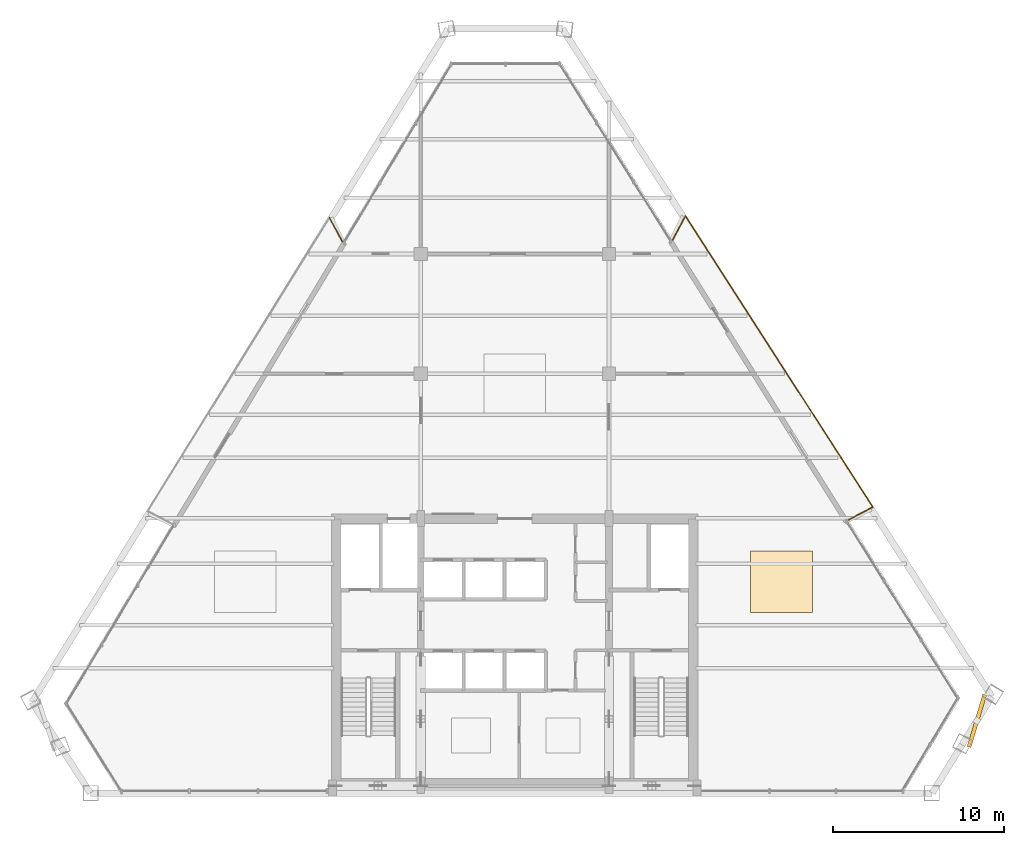
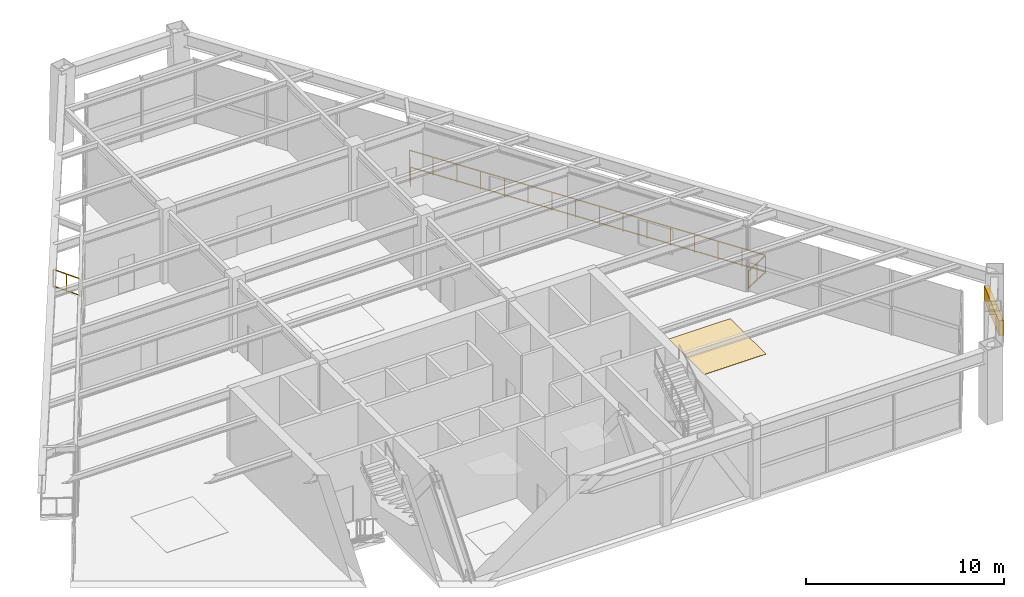
# One storey, part 11 of 11: 4 railings, 1 covering, 1 shading device.
"""IFC4 building model written with IfcOpenShell, lengths in metres."""

from ifc_helpers import new_model, si_unit, direction, frame, origin, origin_2d, place, context, subcontext, project, spatial, rectangle, extrude, source, transform, mapped, material, layer, layer_set, type_object, type_shapes, element, save


model = new_model("IFC4")

# Units and contexts
model_context = context("Model", 3, precision=1e-05, world=origin(), true_north=direction((0.0, 1.0)))
body_context = subcontext(model_context, "Body", "Model", "MODEL_VIEW")
ifc_project = project(units=[si_unit("LENGTHUNIT", "METRE"), si_unit("AREAUNIT", "SQUARE_METRE"), si_unit("VOLUMEUNIT", "CUBIC_METRE"), si_unit("PLANEANGLEUNIT", "RADIAN"), si_unit("MASSUNIT", "GRAM", prefix="KILO")], contexts=[model_context])

# Site, building, storey
site_placement = place(None, origin())
site = spatial("IfcSite", under=ifc_project, at=site_placement, CompositionType="ELEMENT")
building_placement = place(site_placement, origin())
building = spatial("IfcBuilding", under=site, at=building_placement, Name="Varnakhor Terracotta Tower", CompositionType="ELEMENT")
storey_placement = place(building_placement, frame((0.0, 0.0, 215.39990234375)))
storey = spatial("IfcBuildingStorey", under=building, at=storey_placement, Name="L55", CompositionType="ELEMENT", Elevation=215.39990234375)

# Railings
ifc_material_1 = material(Name="Stainless Steel & Laminated Glass Guardrail", Category="steel")
railing_type = type_object("IfcRailingType", Name="RLG-LOGGIA-GUARD-1150", PredefinedType="GUARDRAIL", material=ifc_material_1)
railing_1_placement = place(storey_placement, frame((9.220703125, 32.31201171875, 0.0)))
element("IfcRailing", 1, at=railing_1_placement, inside=storey, type_object=railing_type, Name="L55 E Loggia Glass Guard 1", PredefinedType="GUARDRAIL", context=body_context, shape_type="SweptSolid", body=[
    extrude(rectangle(XDim=0.048095703125, YDim=0.048095703125, at=origin_2d()), frame((0.0, 0.0, 1.1259765625), z_axis=(0.471716382735, 0.88175033556, 0.0), x_axis=(-0.88175033556, 0.471716382735, 0.0)), (0.0, 0.0, 1.0), 1.583251953125),
    extrude(rectangle(XDim=0.048095703125, YDim=0.048095703125, at=origin_2d()), frame((0.0, 0.0, 0.10009765625), z_axis=(0.471716382735, 0.88175033556, 0.0), x_axis=(-0.88175033556, 0.471716382735, 0.0)), (0.0, 0.0, 1.0), 1.583251953125),
    extrude(rectangle(XDim=0.0419921875, YDim=0.0419921875, at=origin_2d()), origin(), (0.0, 0.0, 1.0), 1.101806640625),
    extrude(rectangle(XDim=0.0419921875, YDim=0.0419921875, at=origin_2d()), frame((0.37353515625, 0.697998046875, 0.0)), (0.0, 0.0, 1.0), 1.101806640625),
    extrude(rectangle(XDim=0.0419921875, YDim=0.0419921875, at=origin_2d()), frame((0.746826171875, 1.39599609375, 0.0)), (0.0, 0.0, 1.0), 1.101806640625),
])
railing_2_placement = place(storey_placement, frame((9.967529296875, 33.7080078125, 0.0)))
element("IfcRailing", 2, at=railing_2_placement, inside=storey, type_object=railing_type, Name="L55 E Loggia Glass Guard 2", PredefinedType="GUARDRAIL", context=body_context, shape_type="SweptSolid", body=[
    extrude(rectangle(XDim=0.048095703125, YDim=0.048095703125, at=origin_2d()), frame((0.0, 0.0, 1.1259765625), z_axis=(0.541732621152, -0.840550871262, 0.0), x_axis=(0.840550871262, 0.541732621152, 0.0)), (0.0, 0.0, 1.0), 20.215576171875),
    extrude(rectangle(XDim=0.048095703125, YDim=0.048095703125, at=origin_2d()), frame((0.0, 0.0, 0.10009765625), z_axis=(0.541732621152, -0.840550871262, 0.0), x_axis=(0.840550871262, 0.541732621152, 0.0)), (0.0, 0.0, 1.0), 20.215576171875),
    extrude(rectangle(XDim=0.0419921875, YDim=0.0419921875, at=origin_2d()), origin(), (0.0, 0.0, 1.0), 1.101806640625),
    extrude(rectangle(XDim=0.0419921875, YDim=0.0419921875, at=origin_2d()), frame((0.72998046875, -1.1328125, 0.0)), (0.0, 0.0, 1.0), 1.101806640625),
    extrude(rectangle(XDim=0.0419921875, YDim=0.0419921875, at=origin_2d()), frame((1.460205078125, -2.265625, 0.0)), (0.0, 0.0, 1.0), 1.101806640625),
    extrude(rectangle(XDim=0.0419921875, YDim=0.0419921875, at=origin_2d()), frame((2.190185546875, -3.3984375, 0.0)), (0.0, 0.0, 1.0), 1.101806640625),
    extrude(rectangle(XDim=0.0419921875, YDim=0.0419921875, at=origin_2d()), frame((2.92041015625, -4.53125, 0.0)), (0.0, 0.0, 1.0), 1.101806640625),
    extrude(rectangle(XDim=0.0419921875, YDim=0.0419921875, at=origin_2d()), frame((3.650390625, -5.6640625, 0.0)), (0.0, 0.0, 1.0), 1.101806640625),
    extrude(rectangle(XDim=0.0419921875, YDim=0.0419921875, at=origin_2d()), frame((4.380615234375, -6.796875, 0.0)), (0.0, 0.0, 1.0), 1.101806640625),
    extrude(rectangle(XDim=0.0419921875, YDim=0.0419921875, at=origin_2d()), frame((5.110595703125, -7.9296875, 0.0)), (0.0, 0.0, 1.0), 1.101806640625),
    extrude(rectangle(XDim=0.0419921875, YDim=0.0419921875, at=origin_2d()), frame((5.8408203125, -9.0625, 0.0)), (0.0, 0.0, 1.0), 1.101806640625),
    extrude(rectangle(XDim=0.0419921875, YDim=0.0419921875, at=origin_2d()), frame((6.57080078125, -10.1953125, 0.0)), (0.0, 0.0, 1.0), 1.101806640625),
    extrude(rectangle(XDim=0.0419921875, YDim=0.0419921875, at=origin_2d()), frame((7.301025390625, -11.328125, 0.0)), (0.0, 0.0, 1.0), 1.101806640625),
    extrude(rectangle(XDim=0.0419921875, YDim=0.0419921875, at=origin_2d()), frame((8.031005859375, -12.4609375, 0.0)), (0.0, 0.0, 1.0), 1.101806640625),
    extrude(rectangle(XDim=0.0419921875, YDim=0.0419921875, at=origin_2d()), frame((8.76123046875, -13.59375, 0.0)), (0.0, 0.0, 1.0), 1.101806640625),
    extrude(rectangle(XDim=0.0419921875, YDim=0.0419921875, at=origin_2d()), frame((9.4912109375, -14.7265625, 0.0)), (0.0, 0.0, 1.0), 1.101806640625),
    extrude(rectangle(XDim=0.0419921875, YDim=0.0419921875, at=origin_2d()), frame((10.221435546875, -15.859375, 0.0)), (0.0, 0.0, 1.0), 1.101806640625),
    extrude(rectangle(XDim=0.0419921875, YDim=0.0419921875, at=origin_2d()), frame((10.951416015625, -16.9921875, 0.0)), (0.0, 0.0, 1.0), 1.101806640625),
])
railing_3_placement = place(storey_placement, frame((20.9189453125, 16.7158203125, 0.0)))
element("IfcRailing", 3, at=railing_3_placement, inside=storey, type_object=railing_type, Name="L55 E Loggia Glass Guard 3", PredefinedType="GUARDRAIL", context=body_context, shape_type="SweptSolid", body=[
    extrude(rectangle(XDim=0.048095703125, YDim=0.048095703125, at=origin_2d()), frame((0.0, 0.0, 1.1259765625), z_axis=(-0.88254031503, -0.470236740745, 0.0), x_axis=(0.470236740745, -0.88254031503, 0.0)), (0.0, 0.0, 1.0), 1.62255859375),
    extrude(rectangle(XDim=0.048095703125, YDim=0.048095703125, at=origin_2d()), frame((0.0, 0.0, 0.10009765625), z_axis=(-0.88254031503, -0.470236740745, 0.0), x_axis=(0.470236740745, -0.88254031503, 0.0)), (0.0, 0.0, 1.0), 1.62255859375),
    extrude(rectangle(XDim=0.0419921875, YDim=0.0419921875, at=origin_2d()), origin(), (0.0, 0.0, 1.0), 1.101806640625),
    extrude(rectangle(XDim=0.0419921875, YDim=0.0419921875, at=origin_2d()), frame((-0.7158203125, -0.38134765625, 0.0)), (0.0, 0.0, 1.0), 1.101806640625),
    extrude(rectangle(XDim=0.0419921875, YDim=0.0419921875, at=origin_2d()), frame((-1.431884765625, -0.762939453125, 0.0)), (0.0, 0.0, 1.0), 1.101806640625),
])
railing_4_placement = place(storey_placement, frame((-10.833740234375, 33.6162109375, 0.0)))
element("IfcRailing", 4, at=railing_4_placement, inside=storey, type_object=railing_type, Name="L55 W Loggia Glass Guard 3", PredefinedType="GUARDRAIL", context=body_context, shape_type="SweptSolid", body=[
    extrude(rectangle(XDim=0.048095703125, YDim=0.048095703125, at=origin_2d()), frame((0.0, 0.0, 1.1259765625), z_axis=(0.474431333682, -0.880292513668, 0.0), x_axis=(0.880292513668, 0.474431333682, 0.0)), (0.0, 0.0, 1.0), 1.580810546875),
    extrude(rectangle(XDim=0.048095703125, YDim=0.048095703125, at=origin_2d()), frame((0.0, 0.0, 0.10009765625), z_axis=(0.474431333682, -0.880292513668, 0.0), x_axis=(0.880292513668, 0.474431333682, 0.0)), (0.0, 0.0, 1.0), 1.580810546875),
    extrude(rectangle(XDim=0.0419921875, YDim=0.0419921875, at=origin_2d()), origin(), (0.0, 0.0, 1.0), 1.101806640625),
    extrude(rectangle(XDim=0.0419921875, YDim=0.0419921875, at=origin_2d()), frame((0.375, -0.69580078125, 0.0)), (0.0, 0.0, 1.0), 1.101806640625),
    extrude(rectangle(XDim=0.0419921875, YDim=0.0419921875, at=origin_2d()), frame((0.75, -1.3916015625, 0.0)), (0.0, 0.0, 1.0), 1.101806640625),
])

# Shading device
ifc_material_2 = material(Name="Extruded Architectural Terracotta Screen", Category="masonry")
shading_device_type = type_object("IfcShadingDeviceType", Name="TERRACOTTA SOLAR SCREEN E", PredefinedType="USERDEFINED", material=ifc_material_2)
shared_shape_1 = source(origin(), body_context, "Body", "SweptSolid", [
    extrude(rectangle(XDim=3.199951171875, YDim=0.239990234375, at=origin_2d()), origin(), (0.0, 0.0, 1.0), 0.919921875),
])
type_shapes(shading_device_type, [shared_shape_1])
shading_device_placement = place(storey_placement, frame((27.001220703125, 4.22705078125, 2.712158203125), z_axis=(0.0, 0.0, 1.0), x_axis=(0.287627983141, 0.957742211304, 0.0)))
element("IfcShadingDevice", 5, at=shading_device_placement, inside=storey, type_object=shading_device_type, Name="L55 E Terracotta Solar Screen", ObjectType="SCREEN", PredefinedType="USERDEFINED", context=body_context, shape_type="MappedRepresentation", body=[
    mapped(shared_shape_1, transform((0.0, 0.0, 0.0), scale=1.0)),
])

# Covering
ifc_material_3 = material(Name="Honed Riyadh Limestone Flooring", Category="masonry")
ifc_layer = layer(ifc_material_3, 0.030029296875, Name="Honed Riyadh Limestone Flooring")
ifc_layer_set = layer_set([ifc_layer], Name="Honed Riyadh Limestone Flooring")
covering_type = type_object("IfcCoveringType", Name="COV-FLOOR-LIMESTONE", PredefinedType="FLOORING", material=ifc_layer_set)
shared_shape_2 = source(origin(), body_context, "Body", "SweptSolid", [
    extrude(rectangle(XDim=3.60009765625, YDim=3.60009765625, at=origin_2d()), origin(), (0.0, 0.0, 1.0), 0.02001953125),
])
covering_placement = place(storey_placement, frame((15.5830078125, 12.35205078125, 0.0), z_axis=(0.0, 0.0, 1.0), x_axis=(1.0, 0.0, 0.0)))
element("IfcCovering", 6, at=covering_placement, inside=storey, type_object=covering_type, Name="L55 Honed Stone Flooring 3", PredefinedType="FLOORING", context=body_context, shape_type="MappedRepresentation", body=[
    mapped(shared_shape_2, transform((0.0, 0.0, 0.0), scale=1.0)),
])

save(model, "model.ifc")
